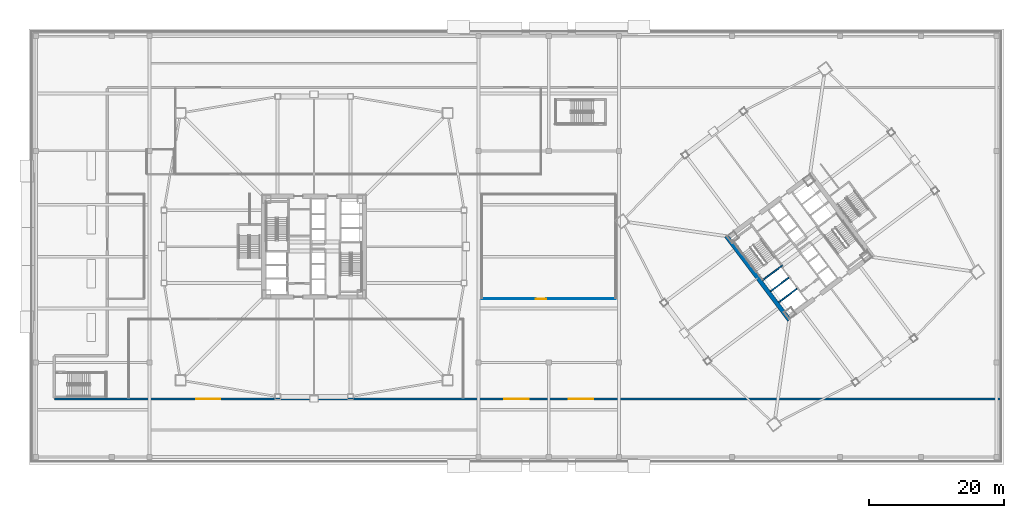
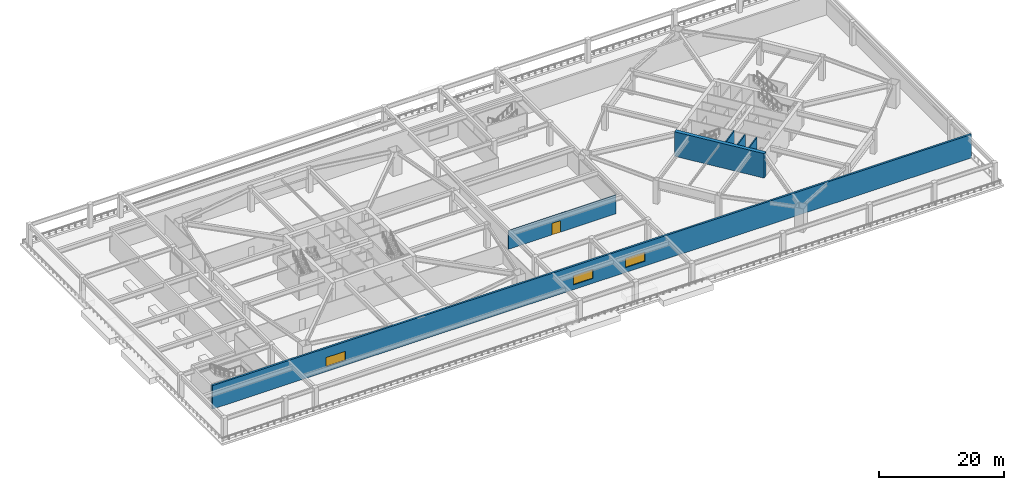
# One storey, part 8 of 21: 6 walls, 3 windows, 1 door, 4 openings.
"""IFC4 building model written with IfcOpenShell, lengths in metres."""

from ifc_helpers import new_model, si_unit, direction, frame, frame_2d, origin, place, context, subcontext, project, spatial, rectangle, extrude, material, layer, layer_set, type_object, element, fill, save


model = new_model("IFC4")

# Units and contexts
model_context = context("Model", 3, precision=1e-05, world=origin(), true_north=direction((0.0, 1.0)))
body_context = subcontext(model_context, "Body", "Model", "MODEL_VIEW")
ifc_project = project(units=[si_unit("LENGTHUNIT", "METRE"), si_unit("AREAUNIT", "SQUARE_METRE"), si_unit("VOLUMEUNIT", "CUBIC_METRE"), si_unit("PLANEANGLEUNIT", "RADIAN"), si_unit("MASSUNIT", "GRAM", prefix="KILO")], contexts=[model_context])

# Site, building, storey
site_placement = place(None, origin())
site = spatial("IfcSite", under=ifc_project, at=site_placement, CompositionType="ELEMENT")
building_placement = place(site_placement, origin())
building = spatial("IfcBuilding", under=site, at=building_placement, Name="Tashvorn Skyway Center", CompositionType="ELEMENT")
storey_placement = place(building_placement, frame((0.0, 0.0, 19.800048828125)))
storey = spatial("IfcBuildingStorey", under=building, at=storey_placement, Name="L04", CompositionType="ELEMENT", Elevation=19.800048828125)

# Wall
ifc_material_1 = material(Name="Concrete C60/75", Category="concrete")
ifc_layer_1 = layer(ifc_material_1, 0.64990234375)
ifc_layer_set_1 = layer_set([ifc_layer_1], Name="Concrete C60/75")
wall_type_1 = type_object("IfcWallType", Name="WALL-CORE-650", PredefinedType="SHEAR", material=ifc_layer_set_1)
wall_1_placement = place(storey_placement, frame((112.47607421875, 21.10693359375, 0.0), z_axis=(0.0, 0.0, 1.0), x_axis=(-0.600005007985, 0.799996243986, 0.0)))
element("IfcWall", 1, at=wall_1_placement, inside=storey, type_object=wall_type_1, Name="Tower 2 L04 West Core Shear Wall", PredefinedType="SHEAR", context=body_context, shape_type="SweptSolid", body=[
    extrude(rectangle(XDim=15.60009765625, YDim=0.64990234375, at=frame_2d((7.800048828125, 0.0))), origin(), (0.0, 0.0, 1.0), 4.800048828125),
])

# Wall, openings, windows
ifc_material_2 = material(Name="Precast concrete C40/50", Category="concrete")
ifc_layer_2 = layer(ifc_material_2, 0.35009765625)
ifc_layer_set_2 = layer_set([ifc_layer_2], Name="Precast concrete C40/50")
wall_type_2 = type_object("IfcWallType", Name="WALL-EXT-350", PredefinedType="SOLIDWALL", material=ifc_layer_set_2)
wall_2_placement = place(storey_placement, frame((143.824951171875, 9.39990234375, 0.0), z_axis=(0.0, 0.0, 1.0), x_axis=(-1.0, 0.0, 0.0)))
wall_2 = element("IfcWall", 2, at=wall_2_placement, inside=storey, type_object=wall_type_2, Name="L04 Stepped South Postmodern Facade Wall", PredefinedType="SOLIDWALL", context=body_context, shape_type="SweptSolid", body=[
    extrude(rectangle(XDim=140.324951171875, YDim=0.35009765625, at=frame_2d((70.16259765625, 0.0))), origin(), (0.0, 0.0, 1.0), 4.599853515625),
])
opening_1_placement = place(wall_2_placement, frame((115.72509765625, 0.0, 0.949951171875)))
opening_1 = element("IfcOpeningElement", 3, at=opening_1_placement, cuts=wall_2, Name="Opening WIN-3600", PredefinedType="OPENING", context=body_context, shape_type="SweptSolid", body=[
    extrude(rectangle(XDim=3.60009765625, YDim=1.800048828125, at=frame_2d((1.800048828125, 0.89990234375))), frame((0.0, 0.18505859375, 0.0), z_axis=(0.0, -1.0, 0.0), x_axis=(1.0, 0.0, 0.0)), (0.0, 0.0, 1.0), 0.3701171875),
])
opening_2_placement = place(wall_2_placement, frame((70.02490234375, 0.0, 0.949951171875)))
opening_2 = element("IfcOpeningElement", 4, at=opening_2_placement, cuts=wall_2, Name="Opening WIN-3600", PredefinedType="OPENING", context=body_context, shape_type="SweptSolid", body=[
    extrude(rectangle(XDim=3.60009765625, YDim=1.800048828125, at=frame_2d((1.800048828125, 0.89990234375))), frame((0.0, 0.18505859375, 0.0), z_axis=(0.0, -1.0, 0.0), x_axis=(1.0, 0.0, 0.0)), (0.0, 0.0, 1.0), 0.3701171875),
])
opening_3_placement = place(wall_2_placement, frame((60.425048828125, 0.0, 0.949951171875)))
opening_3 = element("IfcOpeningElement", 5, at=opening_3_placement, cuts=wall_2, Name="Opening WIN-3600", PredefinedType="OPENING", context=body_context, shape_type="SweptSolid", body=[
    extrude(rectangle(XDim=3.60009765625, YDim=1.800048828125, at=frame_2d((1.800048828125, 0.89990234375))), frame((0.0, 0.18505859375, 0.0), z_axis=(0.0, -1.0, 0.0), x_axis=(1.0, 0.0, 0.0)), (0.0, 0.0, 1.0), 0.3701171875),
])
ifc_material_3 = material(Name="Low-E solar-control double insulating safety glass", Category="glass")
window_type = type_object("IfcWindowType", Name="WIN-CLER-3600", PartitioningType="SINGLE_PANEL", PredefinedType="WINDOW", material=ifc_material_3)
window_1_placement = place(opening_1_placement, origin())
window_1 = element("IfcWindow", 6, at=window_1_placement, inside=storey, type_object=window_type, Name="L04 Stepped South Clerestory Window 01", OverallHeight=1.800048828125, OverallWidth=3.60009765625, PartitioningType="SINGLE_PANEL", PredefinedType="WINDOW", context=body_context, shape_type="SweptSolid", body=[
    extrude(rectangle(XDim=3.60009765625, YDim=1.800048828125, at=frame_2d((1.800048828125, 0.89990234375))), frame((0.0, 0.030029296875, 0.0), z_axis=(0.0, -1.0, 0.0), x_axis=(1.0, 0.0, 0.0)), (0.0, 0.0, 1.0), 0.06005859375),
])
fill(opening_1, window_1)
window_2_placement = place(opening_2_placement, origin())
window_2 = element("IfcWindow", 7, at=window_2_placement, inside=storey, type_object=window_type, Name="L04 Stepped South Clerestory Window 02", OverallHeight=1.800048828125, OverallWidth=3.60009765625, PartitioningType="SINGLE_PANEL", PredefinedType="WINDOW", context=body_context, shape_type="SweptSolid", body=[
    extrude(rectangle(XDim=3.60009765625, YDim=1.800048828125, at=frame_2d((1.800048828125, 0.89990234375))), frame((0.0, 0.030029296875, 0.0), z_axis=(0.0, -1.0, 0.0), x_axis=(1.0, 0.0, 0.0)), (0.0, 0.0, 1.0), 0.06005859375),
])
fill(opening_2, window_2)
window_3_placement = place(opening_3_placement, origin())
window_3 = element("IfcWindow", 8, at=window_3_placement, inside=storey, type_object=window_type, Name="L04 Stepped South Clerestory Window 03", OverallHeight=1.800048828125, OverallWidth=3.60009765625, PartitioningType="SINGLE_PANEL", PredefinedType="WINDOW", context=body_context, shape_type="SweptSolid", body=[
    extrude(rectangle(XDim=3.60009765625, YDim=1.800048828125, at=frame_2d((1.800048828125, 0.89990234375))), frame((0.0, 0.030029296875, 0.0), z_axis=(0.0, -1.0, 0.0), x_axis=(1.0, 0.0, 0.0)), (0.0, 0.0, 1.0), 0.06005859375),
])
fill(opening_3, window_3)

# Wall, opening, door
ifc_material_4 = material(Name="Gypsum board on cold-formed steel stud framing", Category="steel")
ifc_layer_3 = layer(ifc_material_4, 0.135009765625)
ifc_layer_set_3 = layer_set([ifc_layer_3], Name="Gypsum board on cold-formed steel stud framing")
wall_type_3 = type_object("IfcWallType", Name="WALL-PART-135", PredefinedType="PARTITIONING", material=ifc_layer_set_3)
wall_3_placement = place(storey_placement, frame((66.85009765625, 24.25, 0.0), z_axis=(0.0, 0.0, 1.0), x_axis=(1.0, 0.0, 0.0)))
wall_3 = element("IfcWall", 9, at=wall_3_placement, inside=storey, type_object=wall_type_3, Name="L04 Central Hall South Wall", PredefinedType="PARTITIONING", context=body_context, shape_type="SweptSolid", body=[
    extrude(rectangle(XDim=19.89990234375, YDim=0.135009765625, at=frame_2d((9.949951171875, 0.0))), origin(), (0.0, 0.0, 1.0), 3.64306640625),
])
opening_4_placement = place(wall_3_placement, frame((8.0, 0.0, 0.0)))
opening_4 = element("IfcOpeningElement", 10, at=opening_4_placement, cuts=wall_3, Name="Opening D-DBL-1600", PredefinedType="OPENING", context=body_context, shape_type="SweptSolid", body=[
    extrude(rectangle(XDim=1.60009765625, YDim=2.25, at=frame_2d((0.800048828125, 1.125))), frame((0.0, 0.077392578125, 0.0), z_axis=(0.0, -1.0, 0.0), x_axis=(1.0, 0.0, 0.0)), (0.0, 0.0, 1.0), 0.155029296875),
])
ifc_material_5 = material(Name="Anodized aluminium and tempered safety glass", Category="aluminium")
door_type = type_object("IfcDoorType", Name="DOOR-DBL-1600", OperationType="DOUBLE_DOOR_SINGLE_SWING", PredefinedType="DOOR", material=ifc_material_5)
door_placement = place(opening_4_placement, origin())
door = element("IfcDoor", 11, at=door_placement, inside=storey, type_object=door_type, Name="L04 Executive Fitness and Wellness Suite Door", OperationType="DOUBLE_DOOR_SINGLE_SWING", OverallHeight=2.25, OverallWidth=1.60009765625, PredefinedType="DOOR", context=body_context, shape_type="SweptSolid", body=[
    extrude(rectangle(XDim=1.60009765625, YDim=2.25, at=frame_2d((0.800048828125, 1.125))), frame((0.0, 0.02490234375, 0.0), z_axis=(0.0, -1.0, 0.0), x_axis=(1.0, 0.0, 0.0)), (0.0, 0.0, 1.0), 0.050048828125),
])
fill(opening_4, door)

# Walls
ifc_material_6 = material(Name="Concrete C40/50", Category="concrete")
ifc_layer_4 = layer(ifc_material_6, 0.199951171875)
ifc_layer_set_4 = layer_set([ifc_layer_4], Name="Concrete C40/50")
wall_type_4 = type_object("IfcWallType", Name="WALL-SHAFT-200", PredefinedType="SOLIDWALL", material=ifc_layer_set_4)
for number, where, z_axis, x_axis, name in (
    (12, (110.906005859375, 23.741943359375, 0.0), (0.0, 0.0, 1.0), (0.8, 0.6, 0.0), "Tower 2 L04 FSAE Shaft Divider"),
    (13, (109.68798828125, 25.365966796875, 0.0), (0.0, 0.0, 1.0), (0.8, 0.6, 0.0), "Tower 2 L04 FSAE Shaft Divider"),
):
    element("IfcWall", number, at=place(storey_placement, frame(where, z_axis=z_axis, x_axis=x_axis)), inside=storey, type_object=wall_type_4, Name=name, PredefinedType="SOLIDWALL", context=body_context, shape_type="SweptSolid", body=[
        extrude(rectangle(XDim=3.380126953125, YDim=0.199951171875, at=frame_2d((1.68994140625, 0.0))), origin(), (0.0, 0.0, 1.0), 4.599853515625),
    ])
ifc_layer_5 = layer(ifc_material_6, 0.199951171875)
ifc_layer_set_5 = layer_set([ifc_layer_5], Name="Concrete C40/50")
wall_type_5 = type_object("IfcWallType", Name="WALL-STSHF-200", PredefinedType="SHEAR", material=ifc_layer_set_5)
wall_4_placement = place(storey_placement, frame((108.47607421875, 26.98193359375, 0.0), z_axis=(0.0, 0.0, 1.0), x_axis=(0.799984290658, 0.600020945218, 0.0)))
element("IfcWall", 14, at=wall_4_placement, inside=storey, type_object=wall_type_5, Name="Tower 2 L04 Stair 1 South Wall", PredefinedType="SHEAR", context=body_context, shape_type="SweptSolid", body=[
    extrude(rectangle(XDim=3.72998046875, YDim=0.199951171875, at=frame_2d((1.864990234375, 0.0))), origin(), (0.0, 0.0, 1.0), 4.599853515625),
])

save(model, "model.ifc")
